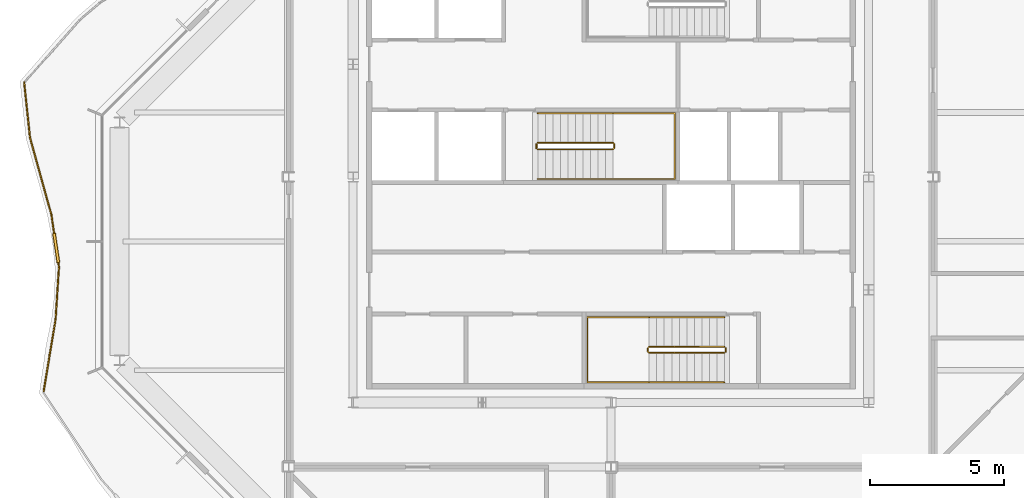
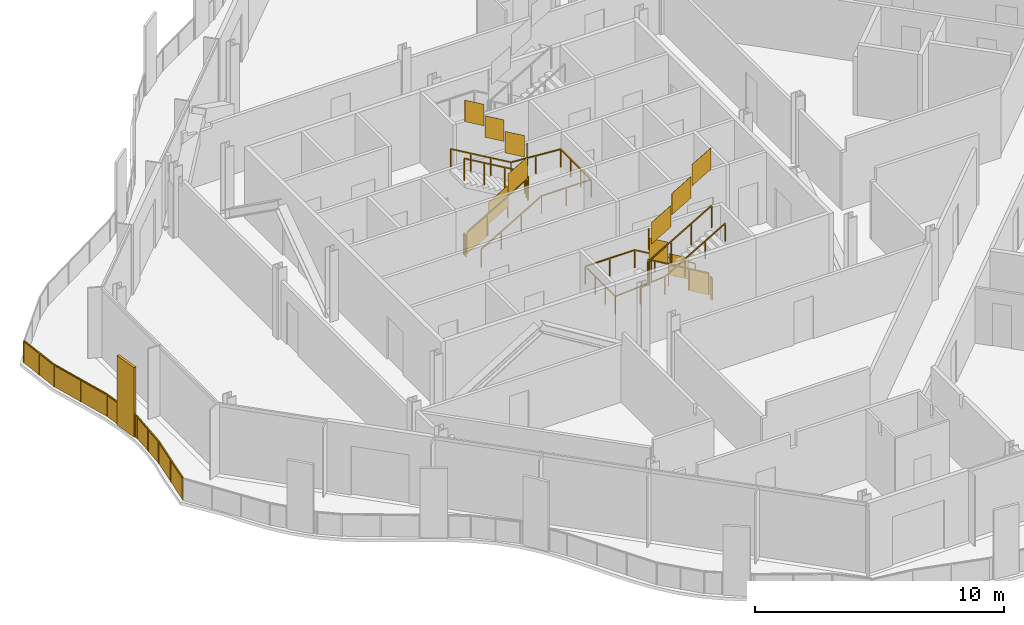
# One storey, part 13 of 16: 7 railings.
"""IFC4 building model written with IfcOpenShell, lengths in metres."""

import ifcopenshell
import ifcopenshell.guid

model = None  # the IFC model being written
_history = None  # IfcOwnerHistory: only IFC2X3 demands one
_inside = {}  # id of a spatial element -> (the spatial element, [elements in it])
_under = {}  # id of a project, library or spatial element -> (it, [spatial elements below it])
_declared = {}  # id of a project -> (the project, [libraries it declares])
_typed = {}  # id of a type object -> (the type object, [elements of that type])
_made_of = {}  # id of a material, layer set ... -> (it, [elements and type objects made of it])


def new_model(schema):
    """Start an empty IFC model of exactly this schema.

    Asked for "IFC4X3", IfcOpenShell would pick the latest addendum, in which some entities
    have other attributes; the version numbers below select the first issue.
    IFC2X3 requires an IfcOwnerHistory on every rooted entity: one is made here for all.
    """
    global model, _history
    if schema == "IFC4X3":
        model = ifcopenshell.file(schema_version=(4, 3, 0, 0))
    else:
        model = ifcopenshell.file(schema=schema)
    _inside.clear()
    _under.clear()
    _declared.clear()
    _typed.clear()
    _made_of.clear()
    _history = None
    if model.schema == "IFC2X3":
        org = make("IfcOrganization", Name="unknown")
        user = make(
            "IfcPersonAndOrganization",
            ThePerson=make("IfcPerson", FamilyName="unknown"),
            TheOrganization=org,
        )
        app = make(
            "IfcApplication",
            ApplicationDeveloper=org,
            Version="unknown",
            ApplicationFullName="unknown",
            ApplicationIdentifier="unknown",
        )
        _history = make(
            "IfcOwnerHistory",
            OwningUser=user,
            OwningApplication=app,
            ChangeAction="ADDED",
            CreationDate=0,
        )
    return model


def make(cls, **values):
    """One entity of the class cls with the attributes given. An attribute that is None is left unset."""
    return model.create_entity(
        cls, **{name: value for name, value in values.items() if value is not None}
    )


def rooted(cls, **values):
    """An entity with a GlobalId (a new one), such as an element, a storey or a relation."""
    return make(cls, GlobalId=ifcopenshell.guid.new(), OwnerHistory=_history, **values)


def si_unit(unit_type, name, prefix=None):
    """IfcSIUnit, for example si_unit("LENGTHUNIT", "METRE", prefix="MILLI")."""
    return make("IfcSIUnit", UnitType=unit_type, Prefix=prefix, Name=name)


def assignment(units):
    """IfcUnitAssignment: the units of a project."""
    return None if units is None else make("IfcUnitAssignment", Units=units)


def point(xyz):
    """IfcCartesianPoint."""
    return None if xyz is None else make("IfcCartesianPoint", Coordinates=xyz)


def direction(xyz):
    """IfcDirection."""
    return None if xyz is None else make("IfcDirection", DirectionRatios=xyz)


def frame(location, z_axis=None, x_axis=None):
    """IfcAxis2Placement3D, a coordinate frame: its origin and axes. An axis left out is left unset."""
    return make(
        "IfcAxis2Placement3D",
        Location=point(location),
        Axis=direction(z_axis),
        RefDirection=direction(x_axis),
    )


def frame_2d(location, x_axis=None):
    """IfcAxis2Placement2D, a coordinate frame in the plane: its origin and x axis."""
    return make(
        "IfcAxis2Placement2D", Location=point(location), RefDirection=direction(x_axis)
    )


def origin():
    """The frame at (0, 0, 0) with its axes left unset."""
    return frame((0.0, 0.0, 0.0))


def origin_2d():
    """The frame at (0, 0) in the plane with its x axis left unset."""
    return frame_2d((0.0, 0.0))


def place(relative_to, where):
    """IfcLocalPlacement: puts the frame where relative to a parent placement (None: the world)."""
    return make(
        "IfcLocalPlacement", PlacementRelTo=relative_to, RelativePlacement=where
    )


def context(
    kind, dimensions, precision=None, world=None, true_north=None, identifier=None
):
    """IfcGeometricRepresentationContext, for example the 3D "Model" context."""
    return make(
        "IfcGeometricRepresentationContext",
        ContextIdentifier=identifier,
        ContextType=kind,
        CoordinateSpaceDimension=dimensions,
        Precision=precision,
        WorldCoordinateSystem=world,
        TrueNorth=true_north,
    )


def subcontext(parent, identifier, kind, view, scale=None):
    """IfcGeometricRepresentationSubContext, for example "Body" below "Model"."""
    return make(
        "IfcGeometricRepresentationSubContext",
        ContextIdentifier=identifier,
        ContextType=kind,
        ParentContext=parent,
        TargetScale=scale,
        TargetView=view,
    )


def project(units=None, contexts=None):
    """IfcProject with its units and contexts."""
    return rooted(
        "IfcProject",
        Name="project",
        RepresentationContexts=contexts,
        UnitsInContext=assignment(units),
    )


def spatial(cls, under=None, at=None, **own):
    """A site, building, storey or space (cls), placed at a placement, below another one or the project."""
    s = rooted(cls, ObjectPlacement=at, **own)
    if under is not None:
        _under.setdefault(under.id(), (under, []))[1].append(s)
    return s


def polyline(points):
    """IfcPolyline through the points."""
    return make("IfcPolyline", Points=[point(p) for p in points])


def profile(cls, at=None, kind="AREA", **sizes):
    """A parametric profile (cls). Its sizes go by their IFC names, for example OverallWidth=200.0."""
    return make(cls, ProfileType=kind, Position=at, **sizes)


def rectangle(**sizes):
    """IfcRectangleProfileDef."""
    return profile("IfcRectangleProfileDef", **sizes)


def outline(outer, holes=None, kind="AREA"):
    """IfcArbitraryClosedProfileDef: a profile drawn as a closed curve; with holes, ...WithVoids."""
    if holes is None:
        return make("IfcArbitraryClosedProfileDef", ProfileType=kind, OuterCurve=outer)
    return make(
        "IfcArbitraryProfileDefWithVoids",
        ProfileType=kind,
        OuterCurve=outer,
        InnerCurves=holes,
    )


def extrude(swept, where, along, depth):
    """IfcExtrudedAreaSolid: the profile swept, set in the frame where, extruded along a direction by depth."""
    return make(
        "IfcExtrudedAreaSolid",
        SweptArea=swept,
        Position=where,
        ExtrudedDirection=direction(along),
        Depth=depth,
    )


def shape(context_of_items, identifier, shape_type, items):
    """IfcShapeRepresentation: the items that make up one representation, for example the "Body"."""
    return make(
        "IfcShapeRepresentation",
        ContextOfItems=context_of_items,
        RepresentationIdentifier=identifier,
        RepresentationType=shape_type,
        Items=items,
    )


def material(Name=None, Category=None):
    """IfcMaterial."""
    return make("IfcMaterial", Name=Name, Category=Category)


def made_of(thing, what):
    """Note that an element or type object is made of a material, layer set ...; save() writes the relation."""
    if what is not None:
        _made_of.setdefault(what.id(), (what, []))[1].append(thing)
    return thing


def type_object(cls, material=None, **own):
    """A type object (cls), such as IfcWallType, which elements share."""
    return made_of(rooted(cls, **own), material)


def element(
    cls,
    number,
    at=None,
    inside=None,
    cuts=None,
    type_object=None,
    material=None,
    context=None,
    identifier="Body",
    shape_type=None,
    held_by="IfcProductDefinitionShape",
    body=None,
    shapes=None,
    **own,
):
    """One element of the class cls, such as IfcWall. Its Tag is "e" and its number.

    at: its placement. inside: the storey or other place that contains it. cuts: it is an
    opening in that element (IfcRelVoidsElement). A single representation is given by context,
    identifier, shape_type and body (its items); several are given by shapes. held_by: the class
    of the entity that holds the representations. save() writes the other relations.
    """
    e = rooted(cls, Tag="e%d" % number, ObjectPlacement=at, **own)
    if body is not None:
        shapes = [shape(context, identifier, shape_type, body)]
    if shapes is not None:
        e.Representation = make(held_by, Representations=shapes)
    if inside is not None:
        _inside.setdefault(inside.id(), (inside, []))[1].append(e)
    if cuts is not None:
        rooted(
            "IfcRelVoidsElement", RelatingBuildingElement=cuts, RelatedOpeningElement=e
        )
    if type_object is not None:
        _typed.setdefault(type_object.id(), (type_object, []))[1].append(e)
    return made_of(e, material)


def aggregate(whole, parts):
    """IfcRelAggregates: a whole, such as a stair, and the parts it consists of."""
    return rooted("IfcRelAggregates", RelatingObject=whole, RelatedObjects=parts)


def save(model, path):
    """Write the relations noted so far, then the file.

    IfcRelAggregates (storeys below a building ...), IfcRelContainedInSpatialStructure (elements
    in a storey), IfcRelDefinesByType, IfcRelAssociatesMaterial and IfcRelDeclares: one each for
    every whole, place, type object, material and project.
    """
    for whole, parts in _under.values():
        aggregate(whole, parts)
    for where, things in _inside.values():
        rooted(
            "IfcRelContainedInSpatialStructure",
            RelatedElements=things,
            RelatingStructure=where,
        )
    for kind, things in _typed.values():
        rooted("IfcRelDefinesByType", RelatedObjects=things, RelatingType=kind)
    for what, things in _made_of.values():
        rooted("IfcRelAssociatesMaterial", RelatedObjects=things, RelatingMaterial=what)
    for by, libraries in _declared.values():
        rooted("IfcRelDeclares", RelatingContext=by, RelatedDefinitions=libraries)
    model.write(path)


model = new_model("IFC4")

# Units and contexts
model_context = context("Model", 3, precision=1e-05, world=origin(), true_north=direction((0.0, 1.0)))
body_context = subcontext(model_context, "Body", "Model", "MODEL_VIEW")
ifc_project = project(units=[si_unit("LENGTHUNIT", "METRE"), si_unit("AREAUNIT", "SQUARE_METRE"), si_unit("VOLUMEUNIT", "CUBIC_METRE"), si_unit("PLANEANGLEUNIT", "RADIAN"), si_unit("MASSUNIT", "GRAM", prefix="KILO")], contexts=[model_context])

# Site, building, storey
site_placement = place(None, origin())
site = spatial("IfcSite", under=ifc_project, at=site_placement, CompositionType="ELEMENT")
building_placement = place(site_placement, origin())
building = spatial("IfcBuilding", under=site, at=building_placement, Name="Cairn Pilgrim Tower", CompositionType="ELEMENT")
storey_placement = place(building_placement, frame((0.0, 0.0, 277.800048828125)))
storey = spatial("IfcBuildingStorey", under=building, at=storey_placement, Name="L71", CompositionType="ELEMENT", Elevation=277.800048828125)

# Railings
ifc_material_1 = material(Name="Bronze anodised aluminium rail, posts and fin screens with laminated glass infill", Category="aluminium")
railing_type_1 = type_object("IfcRailingType", Name="BALCONY GUARD WITH FIN SCREENS", PredefinedType="GUARDRAIL", material=ifc_material_1)
railing_1_placement = place(storey_placement, frame((-14.65283203125, 5.913330078125, 0.0)))
element("IfcRailing", 1, at=railing_1_placement, inside=storey, type_object=railing_type_1, Name="Balcony guard BGF-7 with fin screens", PredefinedType="GUARDRAIL", context=body_context, shape_type="SweptSolid", body=[
    extrude(rectangle(XDim=0.050048828125, YDim=0.050048828125, at=origin_2d()), frame((0.0, 0.0, 1.0751953125), z_axis=(0.104592085093, -0.994515206387, 0.0), x_axis=(0.994515206387, 0.104592085093, 0.0)), (0.0, 0.0, 1.0), 2.056396484375),
    extrude(rectangle(XDim=0.050048828125, YDim=0.050048828125, at=origin_2d()), frame((0.215087890625, -2.045166015625, 1.0751953125), z_axis=(0.267521571731, -0.963551871286, 0.0), x_axis=(0.963551871286, 0.267521571731, 0.0)), (0.0, 0.0, 1.0), 2.986083984375),
    extrude(rectangle(XDim=1.10009765625, YDim=0.110107421875, at=origin_2d()), frame((1.19287109375, -6.16064453125, 0.0), z_axis=(0.0, 0.0, 1.0), x_axis=(0.143108137444, -0.989707058173, 0.0)), (0.0, 0.0, 1.0), 3.39990234375),
    extrude(rectangle(XDim=0.050048828125, YDim=0.050048828125, at=origin_2d()), frame((1.013916015625, -4.92236328125, 1.0751953125), z_axis=(0.143108137444, -0.989707058173, 0.0), x_axis=(0.989707058173, 0.143108137444, 0.0)), (0.0, 0.0, 1.0), 0.701171875),
    extrude(rectangle(XDim=0.050048828125, YDim=0.050048828125, at=origin_2d()), frame((1.271728515625, -6.704833984375, 1.0751953125), z_axis=(0.143108137444, -0.989707058173, 0.0), x_axis=(0.989707058173, 0.143108137444, 0.0)), (0.0, 0.0, 1.0), 0.1640625),
    extrude(rectangle(XDim=0.050048828125, YDim=0.050048828125, at=origin_2d()), frame((1.295166015625, -6.867431640625, 1.0751953125), z_axis=(-0.064704536864, -0.997904465823, 0.0), x_axis=(0.997904465823, -0.064704536864, 0.0)), (0.0, 0.0, 1.0), 1.947021484375),
    extrude(rectangle(XDim=0.050048828125, YDim=0.050048828125, at=origin_2d()), frame((1.169189453125, -8.810302734375, 1.0751953125), z_axis=(-0.162471927156, -0.986713166471, 0.0), x_axis=(0.986713166471, -0.162471927156, 0.0)), (0.0, 0.0, 1.0), 2.71240234375),
    extrude(rectangle(XDim=0.050048828125, YDim=0.050048828125, at=origin_2d()), origin(), (0.0, 0.0, 1.0), 1.050048828125),
    extrude(rectangle(XDim=0.050048828125, YDim=0.050048828125, at=origin_2d()), frame((0.107421875, -1.0224609375, 0.0)), (0.0, 0.0, 1.0), 1.050048828125),
    extrude(rectangle(XDim=0.050048828125, YDim=0.050048828125, at=origin_2d()), frame((0.215087890625, -2.045166015625, 0.0)), (0.0, 0.0, 1.0), 1.050048828125),
    extrude(rectangle(XDim=0.050048828125, YDim=0.050048828125, at=origin_2d()), frame((0.614501953125, -3.48388671875, 0.0)), (0.0, 0.0, 1.0), 1.050048828125),
    extrude(rectangle(XDim=0.050048828125, YDim=0.050048828125, at=origin_2d()), frame((1.013916015625, -4.92236328125, 0.0)), (0.0, 0.0, 1.0), 1.050048828125),
    extrude(rectangle(XDim=0.050048828125, YDim=0.050048828125, at=origin_2d()), frame((1.110595703125, -5.591552734375, 0.0)), (0.0, 0.0, 1.0), 1.050048828125),
    extrude(rectangle(XDim=0.050048828125, YDim=0.050048828125, at=origin_2d()), frame((1.275146484375, -6.729736328125, 0.0)), (0.0, 0.0, 1.0), 1.050048828125),
    extrude(rectangle(XDim=0.050048828125, YDim=0.050048828125, at=origin_2d()), frame((1.295166015625, -6.867431640625, 0.0)), (0.0, 0.0, 1.0), 1.050048828125),
    extrude(rectangle(XDim=0.050048828125, YDim=0.050048828125, at=origin_2d()), frame((1.232177734375, -7.8388671875, 0.0)), (0.0, 0.0, 1.0), 1.050048828125),
    extrude(rectangle(XDim=0.050048828125, YDim=0.050048828125, at=origin_2d()), frame((1.169189453125, -8.810302734375, 0.0)), (0.0, 0.0, 1.0), 1.050048828125),
    extrude(rectangle(XDim=0.050048828125, YDim=0.050048828125, at=origin_2d()), frame((0.94873046875, -10.1484375, 0.0)), (0.0, 0.0, 1.0), 1.050048828125),
    extrude(rectangle(XDim=0.050048828125, YDim=0.050048828125, at=origin_2d()), frame((0.728515625, -11.486572265625, 0.0)), (0.0, 0.0, 1.0), 1.050048828125),
    extrude(outline(polyline([(0.02490234375, 0.0), (1.003173828125, 0.0), (1.003173828125, 1.050048828125), (0.02490234375, 1.050048828125), (0.02490234375, 0.0)])), frame((0.005859375, 0.000732421875, 0.0), z_axis=(-0.994515206387, -0.104592085093, 0.0), x_axis=(0.104592085093, -0.994515206387, 0.0)), (0.0, 0.0, 1.0), 0.011962890625),
    extrude(outline(polyline([(0.02490234375, 0.0), (1.003173828125, 0.0), (1.003173828125, 1.050048828125), (0.02490234375, 1.050048828125), (0.02490234375, 0.0)])), frame((0.113525390625, -1.02197265625, 0.0), z_axis=(-0.994515206387, -0.104592085093, 0.0), x_axis=(0.104592085093, -0.994515206387, 0.0)), (0.0, 0.0, 1.0), 0.011962890625),
    extrude(outline(polyline([(0.02490234375, 0.0), (1.468017578125, 0.0), (1.468017578125, 1.050048828125), (0.02490234375, 1.050048828125), (0.02490234375, 0.0)])), frame((0.220947265625, -2.04345703125, 0.0), z_axis=(-0.963551871286, -0.267521571731, 0.0), x_axis=(0.267521571731, -0.963551871286, 0.0)), (0.0, 0.0, 1.0), 0.011962890625),
    extrude(outline(polyline([(0.02490234375, 0.0), (1.468017578125, 0.0), (1.468017578125, 1.050048828125), (0.02490234375, 1.050048828125), (0.02490234375, 0.0)])), frame((0.620361328125, -3.482177734375, 0.0), z_axis=(-0.963551871286, -0.267521571731, 0.0), x_axis=(0.267521571731, -0.963551871286, 0.0)), (0.0, 0.0, 1.0), 0.011962890625),
    extrude(outline(polyline([(0.02490234375, 0.0), (0.651123046875, 0.0), (0.651123046875, 1.050048828125), (0.02490234375, 1.050048828125), (0.02490234375, 0.0)])), frame((1.019775390625, -4.92138671875, 0.0), z_axis=(-0.989707058173, -0.143108137444, 0.0), x_axis=(0.143108137444, -0.989707058173, 0.0)), (0.0, 0.0, 1.0), 0.011962890625),
    extrude(outline(polyline([(0.02490234375, 0.0), (0.114013671875, 0.0), (0.114013671875, 1.050048828125), (0.02490234375, 1.050048828125), (0.02490234375, 0.0)])), frame((1.28125, -6.728759765625, 0.0), z_axis=(-0.989707058173, -0.143108137444, 0.0), x_axis=(0.143108137444, -0.989707058173, 0.0)), (0.0, 0.0, 1.0), 0.011962890625),
    extrude(outline(polyline([(0.02490234375, 0.0), (0.948486328125, 0.0), (0.948486328125, 1.050048828125), (0.02490234375, 1.050048828125), (0.02490234375, 0.0)])), frame((1.301025390625, -6.867919921875, 0.0), z_axis=(-0.997904465823, 0.064704536864, 0.0), x_axis=(-0.064704536864, -0.997904465823, 0.0)), (0.0, 0.0, 1.0), 0.011962890625),
    extrude(outline(polyline([(0.02490234375, 0.0), (0.948486328125, 0.0), (0.948486328125, 1.050048828125), (0.02490234375, 1.050048828125), (0.02490234375, 0.0)])), frame((1.238037109375, -7.83935546875, 0.0), z_axis=(-0.997904465823, 0.064704536864, 0.0), x_axis=(-0.064704536864, -0.997904465823, 0.0)), (0.0, 0.0, 1.0), 0.011962890625),
    extrude(outline(polyline([(0.02490234375, 0.0), (1.3310546875, 0.0), (1.3310546875, 1.050048828125), (0.02490234375, 1.050048828125), (0.02490234375, 0.0)])), frame((1.175048828125, -8.811279296875, 0.0), z_axis=(-0.986713166471, 0.162471927156, 0.0), x_axis=(-0.162471927156, -0.986713166471, 0.0)), (0.0, 0.0, 1.0), 0.011962890625),
    extrude(outline(polyline([(0.02490234375, 0.0), (1.3310546875, 0.0), (1.3310546875, 1.050048828125), (0.02490234375, 1.050048828125), (0.02490234375, 0.0)])), frame((0.954833984375, -10.1494140625, 0.0), z_axis=(-0.986713166471, 0.162471927156, 0.0), x_axis=(-0.162471927156, -0.986713166471, 0.0)), (0.0, 0.0, 1.0), 0.011962890625),
])
ifc_material_2 = material(Name="Painted steel", Category="steel")
railing_type_2 = type_object("IfcRailingType", Name="STAIR GUARD 1100", PredefinedType="GUARDRAIL", material=ifc_material_2)
railing_2_placement = place(storey_placement, frame((11.425048828125, -3.925048828125, 0.16357421875)))
element("IfcRailing", 2, at=railing_2_placement, inside=storey, type_object=railing_type_2, Name="L71 ST-A stair guard 1", PredefinedType="GUARDRAIL", context=body_context, shape_type="SweptSolid", body=[
    extrude(rectangle(XDim=0.048095703125, YDim=0.048095703125, at=origin_2d()), frame((0.0, 0.0, 1.076171875), z_axis=(-0.863360870873, 0.0, 0.504586966384), x_axis=(0.0, -1.0, 0.0)), (0.0, 0.0, 1.0), 3.2431640625),
    extrude(rectangle(XDim=0.048095703125, YDim=0.048095703125, at=origin_2d()), frame((-2.800048828125, 0.0, 2.71240234375), z_axis=(-0.707106781187, -0.707106781187, 0.0), x_axis=(0.707106781187, -0.707106781187, 0.0)), (0.0, 0.0, 1.0), 0.07080078125),
    extrude(rectangle(XDim=0.048095703125, YDim=0.048095703125, at=origin_2d()), frame((-2.85009765625, -0.050048828125, 2.71240234375), z_axis=(0.0, -1.0, 0.0), x_axis=(1.0, 0.0, 0.0)), (0.0, 0.0, 1.0), 0.125),
    extrude(rectangle(XDim=0.048095703125, YDim=0.048095703125, at=origin_2d()), frame((-2.85009765625, -0.175048828125, 2.71240234375), z_axis=(0.280916556609, -0.279546231943, 0.91811752648), x_axis=(0.705375805398, 0.708833529934, 0.0)), (0.0, 0.0, 1.0), 0.17822265625),
    extrude(rectangle(XDim=0.048095703125, YDim=0.048095703125, at=origin_2d()), frame((-2.800048828125, -0.224853515625, 2.8759765625), z_axis=(0.863393664356, 0.0, 0.504530851732), x_axis=(0.0, 1.0, 0.0)), (0.0, 0.0, 1.0), 3.2431640625),
    extrude(rectangle(XDim=0.0419921875, YDim=0.0419921875, at=origin_2d()), origin(), (0.0, 0.0, 1.0), 1.052001953125),
    extrude(rectangle(XDim=0.0419921875, YDim=0.0419921875, at=origin_2d()), frame((-0.933349609375, 0.0, 0.54541015625)), (0.0, 0.0, 1.0), 1.052001953125),
    extrude(rectangle(XDim=0.0419921875, YDim=0.0419921875, at=origin_2d()), frame((-1.86669921875, 0.0, 1.091064453125)), (0.0, 0.0, 1.0), 1.052001953125),
    extrude(rectangle(XDim=0.0419921875, YDim=0.0419921875, at=origin_2d()), frame((-2.800048828125, 0.0, 1.636474609375)), (0.0, 0.0, 1.0), 1.052001953125),
    extrude(rectangle(XDim=0.0419921875, YDim=0.0419921875, at=origin_2d()), frame((-2.85009765625, -0.050048828125, 1.636474609375)), (0.0, 0.0, 1.0), 1.052001953125),
    extrude(rectangle(XDim=0.0419921875, YDim=0.0419921875, at=origin_2d()), frame((-2.85009765625, -0.175048828125, 1.636474609375)), (0.0, 0.0, 1.0), 1.052001953125),
    extrude(rectangle(XDim=0.0419921875, YDim=0.0419921875, at=origin_2d()), frame((-2.800048828125, -0.224853515625, 1.800048828125)), (0.0, 0.0, 1.0), 1.052001953125),
    extrude(rectangle(XDim=0.0419921875, YDim=0.0419921875, at=origin_2d()), frame((-1.86669921875, -0.224853515625, 2.345458984375)), (0.0, 0.0, 1.0), 1.052001953125),
    extrude(rectangle(XDim=0.0419921875, YDim=0.0419921875, at=origin_2d()), frame((-0.933349609375, -0.224853515625, 2.890869140625)), (0.0, 0.0, 1.0), 1.052001953125),
    extrude(rectangle(XDim=0.0419921875, YDim=0.0419921875, at=origin_2d()), frame((0.0, -0.224853515625, 3.436279296875)), (0.0, 0.0, 1.0), 1.052001953125),
    extrude(outline(polyline([(0.02099609375, 0.01220703125), (0.912353515625, 0.533203125), (0.912353515625, 1.585205078125), (0.02099609375, 1.064208984375), (0.02099609375, 0.01220703125)])), frame((0.0, -0.005859375, 0.0), z_axis=(0.0, 1.0, 0.0), x_axis=(-1.0, 0.0, 0.0)), (0.0, 0.0, 1.0), 0.011962890625),
    extrude(outline(polyline([(0.02099609375, 0.557861328125), (0.912353515625, 1.07861328125), (0.912353515625, 2.130615234375), (0.02099609375, 1.60986328125), (0.02099609375, 0.557861328125)])), frame((-0.933349609375, -0.005859375, 0.54541015625), z_axis=(0.0, 1.0, 0.0), x_axis=(-1.0, 0.0, 0.0)), (0.0, 0.0, 1.0), 0.011962890625),
    extrude(outline(polyline([(0.02099609375, 1.103271484375), (0.912353515625, 1.624267578125), (0.912353515625, 2.67626953125), (0.02099609375, 2.1552734375), (0.02099609375, 1.103271484375)])), frame((-1.86669921875, -0.005859375, 1.091064453125), z_axis=(0.0, 1.0, 0.0), x_axis=(-1.0, 0.0, 0.0)), (0.0, 0.0, 1.0), 0.011962890625),
    extrude(outline(polyline([(0.02099609375, 1.636474609375), (0.10400390625, 1.636474609375), (0.10400390625, 2.6884765625), (0.02099609375, 2.6884765625), (0.02099609375, 1.636474609375)])), frame((-2.84423828125, -0.050048828125, 1.636474609375), z_axis=(-1.0, 0.0, 0.0), x_axis=(0.0, -1.0, 0.0)), (0.0, 0.0, 1.0), 0.011962890625),
    extrude(outline(polyline([(0.02099609375, 1.812255859375), (0.912353515625, 2.333251953125), (0.912353515625, 3.38525390625), (0.02099609375, 2.8642578125), (0.02099609375, 1.812255859375)])), frame((-2.800048828125, -0.21875, 1.800048828125), z_axis=(0.0, -1.0, 0.0), x_axis=(1.0, 0.0, 0.0)), (0.0, 0.0, 1.0), 0.011962890625),
    extrude(outline(polyline([(0.02099609375, 2.357666015625), (0.912353515625, 2.878662109375), (0.912353515625, 3.9306640625), (0.02099609375, 3.40966796875), (0.02099609375, 2.357666015625)])), frame((-1.86669921875, -0.21875, 2.345458984375), z_axis=(0.0, -1.0, 0.0), x_axis=(1.0, 0.0, 0.0)), (0.0, 0.0, 1.0), 0.011962890625),
    extrude(outline(polyline([(0.02099609375, 2.903076171875), (0.912353515625, 3.424072265625), (0.912353515625, 4.47607421875), (0.02099609375, 3.955078125), (0.02099609375, 2.903076171875)])), frame((-0.933349609375, -0.21875, 2.890869140625), z_axis=(0.0, -1.0, 0.0), x_axis=(1.0, 0.0, 0.0)), (0.0, 0.0, 1.0), 0.011962890625),
])
railing_3_placement = place(storey_placement, frame((11.47509765625, -3.97509765625, 0.0)))
element("IfcRailing", 3, at=railing_3_placement, inside=storey, type_object=railing_type_2, Name="L71 ST-A stair guard 2", PredefinedType="GUARDRAIL", context=body_context, shape_type="SweptSolid", body=[
    extrude(rectangle(XDim=0.048095703125, YDim=0.048095703125, at=origin_2d()), frame((0.0, 0.0, 1.076171875), z_axis=(0.0, -1.0, 0.0), x_axis=(1.0, 0.0, 0.0)), (0.0, 0.0, 1.0), 0.125),
    extrude(rectangle(XDim=0.0419921875, YDim=0.0419921875, at=origin_2d()), origin(), (0.0, 0.0, 1.0), 1.052001953125),
    extrude(rectangle(XDim=0.0419921875, YDim=0.0419921875, at=origin_2d()), frame((0.0, -0.125, 0.0)), (0.0, 0.0, 1.0), 1.052001953125),
    extrude(outline(polyline([(0.02099609375, 0.0), (0.10400390625, 0.0), (0.10400390625, 1.052001953125), (0.02099609375, 1.052001953125), (0.02099609375, 0.0)])), frame((0.005859375, 0.0, 0.0), z_axis=(-1.0, 0.0, 0.0), x_axis=(0.0, -1.0, 0.0)), (0.0, 0.0, 1.0), 0.011962890625),
])
railing_4_placement = place(storey_placement, frame((4.47509765625, 3.425048828125, 0.16357421875)))
element("IfcRailing", 4, at=railing_4_placement, inside=storey, type_object=railing_type_2, Name="L71 ST-B stair guard 1", PredefinedType="GUARDRAIL", context=body_context, shape_type="SweptSolid", body=[
    extrude(rectangle(XDim=0.048095703125, YDim=0.048095703125, at=origin_2d()), frame((0.0, 0.0, 1.076171875), z_axis=(0.863341702679, 0.0, 0.504619762213), x_axis=(0.0, 1.0, 0.0)), (0.0, 0.0, 1.0), 3.242919921875),
    extrude(rectangle(XDim=0.048095703125, YDim=0.048095703125, at=origin_2d()), frame((2.7998046875, 0.0, 2.71240234375), z_axis=(0.707106781187, 0.707106781187, 0.0), x_axis=(-0.707106781187, 0.707106781187, 0.0)), (0.0, 0.0, 1.0), 0.07080078125),
    extrude(rectangle(XDim=0.048095703125, YDim=0.048095703125, at=origin_2d()), frame((2.849853515625, 0.050048828125, 2.71240234375), z_axis=(0.0, 1.0, 0.0), x_axis=(-1.0, 0.0, 0.0)), (0.0, 0.0, 1.0), 0.14990234375),
    extrude(rectangle(XDim=0.048095703125, YDim=0.048095703125, at=origin_2d()), frame((2.849853515625, 0.199951171875, 2.71240234375), z_axis=(-0.280808744504, 0.280808744504, 0.917765164963), x_axis=(-0.707106781187, -0.707106781187, 0.0)), (0.0, 0.0, 1.0), 0.17822265625),
    extrude(rectangle(XDim=0.048095703125, YDim=0.048095703125, at=origin_2d()), frame((2.7998046875, 0.25, 2.8759765625), z_axis=(-0.863374499697, 0.0, 0.504563646405), x_axis=(0.0, -1.0, 0.0)), (0.0, 0.0, 1.0), 3.242919921875),
    extrude(rectangle(XDim=0.0419921875, YDim=0.0419921875, at=origin_2d()), origin(), (0.0, 0.0, 1.0), 1.052001953125),
    extrude(rectangle(XDim=0.0419921875, YDim=0.0419921875, at=origin_2d()), frame((0.933349609375, 0.0, 0.54541015625)), (0.0, 0.0, 1.0), 1.052001953125),
    extrude(rectangle(XDim=0.0419921875, YDim=0.0419921875, at=origin_2d()), frame((1.866455078125, 0.0, 1.091064453125)), (0.0, 0.0, 1.0), 1.052001953125),
    extrude(rectangle(XDim=0.0419921875, YDim=0.0419921875, at=origin_2d()), frame((2.7998046875, 0.0, 1.636474609375)), (0.0, 0.0, 1.0), 1.052001953125),
    extrude(rectangle(XDim=0.0419921875, YDim=0.0419921875, at=origin_2d()), frame((2.849853515625, 0.050048828125, 1.636474609375)), (0.0, 0.0, 1.0), 1.052001953125),
    extrude(rectangle(XDim=0.0419921875, YDim=0.0419921875, at=origin_2d()), frame((2.849853515625, 0.199951171875, 1.636474609375)), (0.0, 0.0, 1.0), 1.052001953125),
    extrude(rectangle(XDim=0.0419921875, YDim=0.0419921875, at=origin_2d()), frame((2.7998046875, 0.25, 1.800048828125)), (0.0, 0.0, 1.0), 1.052001953125),
    extrude(rectangle(XDim=0.0419921875, YDim=0.0419921875, at=origin_2d()), frame((1.866455078125, 0.25, 2.345458984375)), (0.0, 0.0, 1.0), 1.052001953125),
    extrude(rectangle(XDim=0.0419921875, YDim=0.0419921875, at=origin_2d()), frame((0.933349609375, 0.25, 2.890869140625)), (0.0, 0.0, 1.0), 1.052001953125),
    extrude(rectangle(XDim=0.0419921875, YDim=0.0419921875, at=origin_2d()), frame((0.0, 0.25, 3.436279296875)), (0.0, 0.0, 1.0), 1.052001953125),
    extrude(outline(polyline([(0.02099609375, 0.01220703125), (0.912353515625, 0.533203125), (0.912353515625, 1.585205078125), (0.02099609375, 1.064208984375), (0.02099609375, 0.01220703125)])), frame((0.0, 0.005859375, 0.0), z_axis=(0.0, -1.0, 0.0), x_axis=(1.0, 0.0, 0.0)), (0.0, 0.0, 1.0), 0.011962890625),
    extrude(outline(polyline([(0.02099609375, 0.557861328125), (0.912353515625, 1.07861328125), (0.912353515625, 2.130615234375), (0.02099609375, 1.60986328125), (0.02099609375, 0.557861328125)])), frame((0.933349609375, 0.005859375, 0.54541015625), z_axis=(0.0, -1.0, 0.0), x_axis=(1.0, 0.0, 0.0)), (0.0, 0.0, 1.0), 0.011962890625),
    extrude(outline(polyline([(0.02099609375, 1.103271484375), (0.912353515625, 1.624267578125), (0.912353515625, 2.67626953125), (0.02099609375, 2.1552734375), (0.02099609375, 1.103271484375)])), frame((1.866455078125, 0.005859375, 1.091064453125), z_axis=(0.0, -1.0, 0.0), x_axis=(1.0, 0.0, 0.0)), (0.0, 0.0, 1.0), 0.011962890625),
    extrude(outline(polyline([(0.02099609375, 1.636474609375), (0.12890625, 1.636474609375), (0.12890625, 2.6884765625), (0.02099609375, 2.6884765625), (0.02099609375, 1.636474609375)])), frame((2.84375, 0.050048828125, 1.636474609375), z_axis=(1.0, 0.0, 0.0), x_axis=(0.0, 1.0, 0.0)), (0.0, 0.0, 1.0), 0.011962890625),
    extrude(outline(polyline([(0.02099609375, 1.812255859375), (0.912353515625, 2.333251953125), (0.912353515625, 3.38525390625), (0.02099609375, 2.8642578125), (0.02099609375, 1.812255859375)])), frame((2.7998046875, 0.244140625, 1.800048828125), z_axis=(0.0, 1.0, 0.0), x_axis=(-1.0, 0.0, 0.0)), (0.0, 0.0, 1.0), 0.011962890625),
    extrude(outline(polyline([(0.02099609375, 2.357666015625), (0.912353515625, 2.878662109375), (0.912353515625, 3.9306640625), (0.02099609375, 3.40966796875), (0.02099609375, 2.357666015625)])), frame((1.866455078125, 0.244140625, 2.345458984375), z_axis=(0.0, 1.0, 0.0), x_axis=(-1.0, 0.0, 0.0)), (0.0, 0.0, 1.0), 0.011962890625),
    extrude(outline(polyline([(0.02099609375, 2.903076171875), (0.912353515625, 3.424072265625), (0.912353515625, 4.47607421875), (0.02099609375, 3.955078125), (0.02099609375, 2.903076171875)])), frame((0.933349609375, 0.244140625, 2.890869140625), z_axis=(0.0, 1.0, 0.0), x_axis=(-1.0, 0.0, 0.0)), (0.0, 0.0, 1.0), 0.011962890625),
])
railing_5_placement = place(storey_placement, frame((4.425048828125, 3.47509765625, 0.0)))
element("IfcRailing", 5, at=railing_5_placement, inside=storey, type_object=railing_type_2, Name="L71 ST-B stair guard 2", PredefinedType="GUARDRAIL", context=body_context, shape_type="SweptSolid", body=[
    extrude(rectangle(XDim=0.048095703125, YDim=0.048095703125, at=origin_2d()), frame((0.0, 0.0, 1.076171875), z_axis=(0.0, 1.0, 0.0), x_axis=(-1.0, 0.0, 0.0)), (0.0, 0.0, 1.0), 0.14990234375),
    extrude(rectangle(XDim=0.0419921875, YDim=0.0419921875, at=origin_2d()), origin(), (0.0, 0.0, 1.0), 1.052001953125),
    extrude(rectangle(XDim=0.0419921875, YDim=0.0419921875, at=origin_2d()), frame((0.0, 0.14990234375, 0.0)), (0.0, 0.0, 1.0), 1.052001953125),
    extrude(outline(polyline([(0.02099609375, 0.0), (0.12890625, 0.0), (0.12890625, 1.052001953125), (0.02099609375, 1.052001953125), (0.02099609375, 0.0)])), frame((-0.005859375, 0.0, 0.0), z_axis=(1.0, 0.0, 0.0), x_axis=(0.0, 1.0, 0.0)), (0.0, 0.0, 1.0), 0.011962890625),
])
railing_type_3 = type_object("IfcRailingType", Name="STAIR HANDRAIL 900", PredefinedType="HANDRAIL", material=ifc_material_2)
railing_6_placement = place(storey_placement, frame((11.425048828125, -2.824951171875, 0.16357421875)))
element("IfcRailing", 6, at=railing_6_placement, inside=storey, type_object=railing_type_3, Name="L71 ST-A stair handrail 1", PredefinedType="HANDRAIL", context=body_context, shape_type="SweptSolid", body=[
    extrude(rectangle(XDim=0.048095703125, YDim=0.048095703125, at=origin_2d()), frame((0.0, 0.0, 0.8759765625), z_axis=(-0.863360870873, 0.0, 0.504586966384), x_axis=(0.0, -1.0, 0.0)), (0.0, 0.0, 1.0), 3.2431640625),
    extrude(rectangle(XDim=0.048095703125, YDim=0.048095703125, at=origin_2d()), frame((-2.800048828125, 0.0, 2.51220703125), z_axis=(-1.0, 0.0, 0.0), x_axis=(0.0, -1.0, 0.0)), (0.0, 0.0, 1.0), 2.300048828125),
    extrude(rectangle(XDim=0.048095703125, YDim=0.048095703125, at=origin_2d()), frame((-5.10009765625, 0.0, 2.51220703125), z_axis=(0.0, -1.0, 0.0), x_axis=(1.0, 0.0, 0.0)), (0.0, 0.0, 1.0), 2.425048828125),
    extrude(rectangle(XDim=0.048095703125, YDim=0.048095703125, at=origin_2d()), frame((-5.10009765625, -2.425048828125, 2.51220703125), z_axis=(0.997480687736, 0.0, 0.070938548008), x_axis=(0.0, 1.0, 0.0)), (0.0, 0.0, 1.0), 2.305908203125),
    extrude(rectangle(XDim=0.048095703125, YDim=0.048095703125, at=origin_2d()), frame((-2.800048828125, -2.425048828125, 2.67578125), z_axis=(0.863393664356, 0.0, 0.504530851732), x_axis=(0.0, 1.0, 0.0)), (0.0, 0.0, 1.0), 3.2431640625),
    extrude(rectangle(XDim=0.0419921875, YDim=0.0419921875, at=origin_2d()), origin(), (0.0, 0.0, 1.0), 0.851806640625),
    extrude(rectangle(XDim=0.0419921875, YDim=0.0419921875, at=origin_2d()), frame((-0.933349609375, 0.0, 0.54541015625)), (0.0, 0.0, 1.0), 0.851806640625),
    extrude(rectangle(XDim=0.0419921875, YDim=0.0419921875, at=origin_2d()), frame((-1.86669921875, 0.0, 1.091064453125)), (0.0, 0.0, 1.0), 0.851806640625),
    extrude(rectangle(XDim=0.0419921875, YDim=0.0419921875, at=origin_2d()), frame((-2.800048828125, 0.0, 1.636474609375)), (0.0, 0.0, 1.0), 0.851806640625),
    extrude(rectangle(XDim=0.0419921875, YDim=0.0419921875, at=origin_2d()), frame((-3.9501953125, 0.0, 1.636474609375)), (0.0, 0.0, 1.0), 0.851806640625),
    extrude(rectangle(XDim=0.0419921875, YDim=0.0419921875, at=origin_2d()), frame((-5.10009765625, 0.0, 1.636474609375)), (0.0, 0.0, 1.0), 0.851806640625),
    extrude(rectangle(XDim=0.0419921875, YDim=0.0419921875, at=origin_2d()), frame((-5.10009765625, -0.808349609375, 1.636474609375)), (0.0, 0.0, 1.0), 0.851806640625),
    extrude(rectangle(XDim=0.0419921875, YDim=0.0419921875, at=origin_2d()), frame((-5.10009765625, -1.61669921875, 1.636474609375)), (0.0, 0.0, 1.0), 0.851806640625),
    extrude(rectangle(XDim=0.0419921875, YDim=0.0419921875, at=origin_2d()), frame((-5.10009765625, -2.425048828125, 1.636474609375)), (0.0, 0.0, 1.0), 0.851806640625),
    extrude(rectangle(XDim=0.0419921875, YDim=0.0419921875, at=origin_2d()), frame((-3.9501953125, -2.425048828125, 1.71826171875)), (0.0, 0.0, 1.0), 0.851806640625),
    extrude(rectangle(XDim=0.0419921875, YDim=0.0419921875, at=origin_2d()), frame((-2.800048828125, -2.425048828125, 1.800048828125)), (0.0, 0.0, 1.0), 0.851806640625),
    extrude(rectangle(XDim=0.0419921875, YDim=0.0419921875, at=origin_2d()), frame((-1.86669921875, -2.425048828125, 2.345458984375)), (0.0, 0.0, 1.0), 0.851806640625),
    extrude(rectangle(XDim=0.0419921875, YDim=0.0419921875, at=origin_2d()), frame((-0.933349609375, -2.425048828125, 2.890869140625)), (0.0, 0.0, 1.0), 0.851806640625),
    extrude(rectangle(XDim=0.0419921875, YDim=0.0419921875, at=origin_2d()), frame((0.0, -2.425048828125, 3.436279296875)), (0.0, 0.0, 1.0), 0.851806640625),
])
railing_7_placement = place(storey_placement, frame((4.47509765625, 2.324951171875, 0.16357421875)))
element("IfcRailing", 7, at=railing_7_placement, inside=storey, type_object=railing_type_3, Name="L71 ST-B stair handrail 1", PredefinedType="HANDRAIL", context=body_context, shape_type="SweptSolid", body=[
    extrude(rectangle(XDim=0.048095703125, YDim=0.048095703125, at=origin_2d()), frame((0.0, 0.0, 0.8759765625), z_axis=(0.863341702679, 0.0, 0.504619762213), x_axis=(0.0, 1.0, 0.0)), (0.0, 0.0, 1.0), 3.242919921875),
    extrude(rectangle(XDim=0.048095703125, YDim=0.048095703125, at=origin_2d()), frame((2.7998046875, 0.0, 2.51220703125), z_axis=(1.0, 0.0, 0.0), x_axis=(0.0, 1.0, 0.0)), (0.0, 0.0, 1.0), 2.300048828125),
    extrude(rectangle(XDim=0.048095703125, YDim=0.048095703125, at=origin_2d()), frame((5.099853515625, 0.0, 2.51220703125), z_axis=(0.0, 1.0, 0.0), x_axis=(-1.0, 0.0, 0.0)), (0.0, 0.0, 1.0), 2.449951171875),
    extrude(rectangle(XDim=0.048095703125, YDim=0.048095703125, at=origin_2d()), frame((5.099853515625, 2.449951171875, 2.51220703125), z_axis=(-0.997480687736, 0.0, 0.070938548008), x_axis=(0.0, -1.0, 0.0)), (0.0, 0.0, 1.0), 2.305908203125),
    extrude(rectangle(XDim=0.048095703125, YDim=0.048095703125, at=origin_2d()), frame((2.7998046875, 2.449951171875, 2.67578125), z_axis=(-0.863374499697, 0.0, 0.504563646405), x_axis=(0.0, -1.0, 0.0)), (0.0, 0.0, 1.0), 3.242919921875),
    extrude(rectangle(XDim=0.0419921875, YDim=0.0419921875, at=origin_2d()), origin(), (0.0, 0.0, 1.0), 0.851806640625),
    extrude(rectangle(XDim=0.0419921875, YDim=0.0419921875, at=origin_2d()), frame((0.933349609375, 0.0, 0.54541015625)), (0.0, 0.0, 1.0), 0.851806640625),
    extrude(rectangle(XDim=0.0419921875, YDim=0.0419921875, at=origin_2d()), frame((1.866455078125, 0.0, 1.091064453125)), (0.0, 0.0, 1.0), 0.851806640625),
    extrude(rectangle(XDim=0.0419921875, YDim=0.0419921875, at=origin_2d()), frame((2.7998046875, 0.0, 1.636474609375)), (0.0, 0.0, 1.0), 0.851806640625),
    extrude(rectangle(XDim=0.0419921875, YDim=0.0419921875, at=origin_2d()), frame((3.94970703125, 0.0, 1.636474609375)), (0.0, 0.0, 1.0), 0.851806640625),
    extrude(rectangle(XDim=0.0419921875, YDim=0.0419921875, at=origin_2d()), frame((5.099853515625, 0.0, 1.636474609375)), (0.0, 0.0, 1.0), 0.851806640625),
    extrude(rectangle(XDim=0.0419921875, YDim=0.0419921875, at=origin_2d()), frame((5.099853515625, 0.816650390625, 1.636474609375)), (0.0, 0.0, 1.0), 0.851806640625),
    extrude(rectangle(XDim=0.0419921875, YDim=0.0419921875, at=origin_2d()), frame((5.099853515625, 1.63330078125, 1.636474609375)), (0.0, 0.0, 1.0), 0.851806640625),
    extrude(rectangle(XDim=0.0419921875, YDim=0.0419921875, at=origin_2d()), frame((5.099853515625, 2.449951171875, 1.636474609375)), (0.0, 0.0, 1.0), 0.851806640625),
    extrude(rectangle(XDim=0.0419921875, YDim=0.0419921875, at=origin_2d()), frame((3.94970703125, 2.449951171875, 1.71826171875)), (0.0, 0.0, 1.0), 0.851806640625),
    extrude(rectangle(XDim=0.0419921875, YDim=0.0419921875, at=origin_2d()), frame((2.7998046875, 2.449951171875, 1.800048828125)), (0.0, 0.0, 1.0), 0.851806640625),
    extrude(rectangle(XDim=0.0419921875, YDim=0.0419921875, at=origin_2d()), frame((1.866455078125, 2.449951171875, 2.345458984375)), (0.0, 0.0, 1.0), 0.851806640625),
    extrude(rectangle(XDim=0.0419921875, YDim=0.0419921875, at=origin_2d()), frame((0.933349609375, 2.449951171875, 2.890869140625)), (0.0, 0.0, 1.0), 0.851806640625),
    extrude(rectangle(XDim=0.0419921875, YDim=0.0419921875, at=origin_2d()), frame((0.0, 2.449951171875, 3.436279296875)), (0.0, 0.0, 1.0), 0.851806640625),
])

save(model, "model.ifc")
